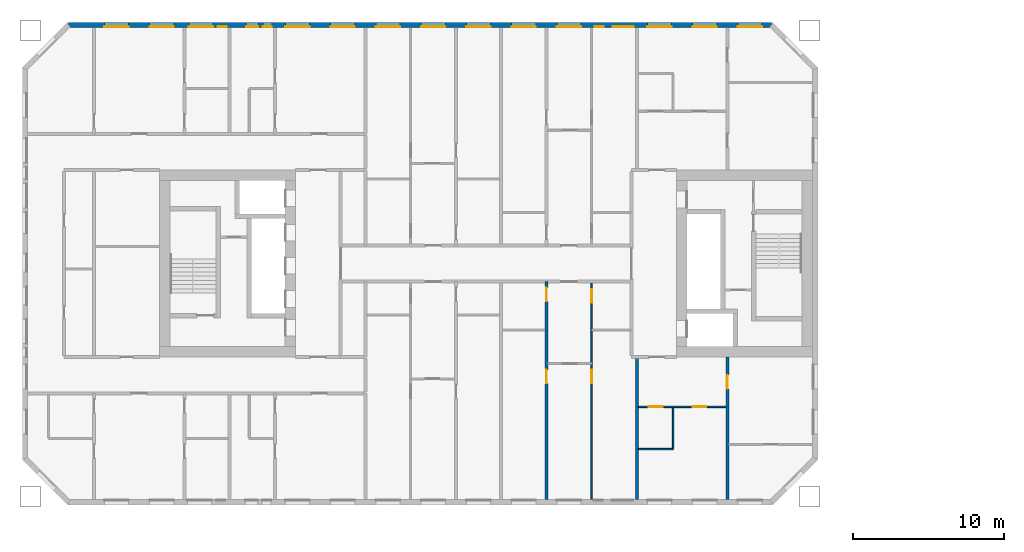
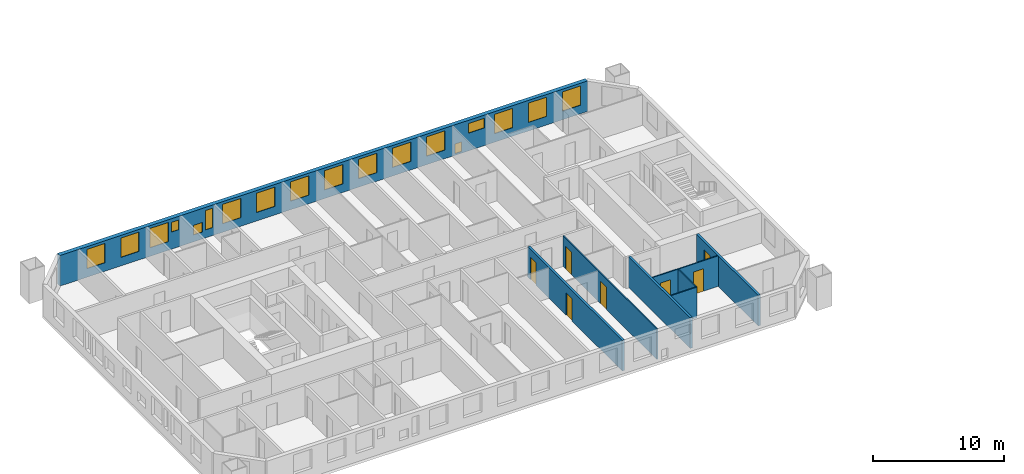
# One storey, part 6 of 17: 18 windows, 8 walls, 7 doors, 25 openings.
"""IFC4 building model written with IfcOpenShell, lengths in metres."""

from ifc_helpers import new_model, si_unit, direction, frame, frame_2d, origin, place, context, subcontext, project, spatial, rectangle, extrude, material, layer, layer_set, type_object, element, fill, save


model = new_model("IFC4")

# Units and contexts
model_context = context("Model", 3, precision=1e-05, world=origin(), true_north=direction((0.0, 1.0)))
body_context = subcontext(model_context, "Body", "Model", "MODEL_VIEW")
ifc_project = project(units=[si_unit("LENGTHUNIT", "METRE"), si_unit("AREAUNIT", "SQUARE_METRE"), si_unit("VOLUMEUNIT", "CUBIC_METRE"), si_unit("PLANEANGLEUNIT", "RADIAN"), si_unit("MASSUNIT", "GRAM", prefix="KILO")], contexts=[model_context])

# Site, building, storey
site_placement = place(None, origin())
site = spatial("IfcSite", under=ifc_project, at=site_placement, CompositionType="ELEMENT")
building_placement = place(site_placement, origin())
building = spatial("IfcBuilding", under=site, at=building_placement, Name="Tuart Gate Housing", CompositionType="ELEMENT")
storey_placement = place(building_placement, frame((0.0, 0.0, 77.800048828125)))
storey = spatial("IfcBuildingStorey", under=building, at=storey_placement, Name="L21", CompositionType="ELEMENT", Elevation=77.800048828125)

# Wall, openings, windows
ifc_material_1 = material(Name="Brick", Category="masonry")
ifc_layer_1 = layer(ifc_material_1, 0.360107421875)
ifc_layer_set_1 = layer_set([ifc_layer_1], Name="Brick pier and spandrel wall 360")
wall_type_1 = type_object("IfcWallType", Name="Brick pier and spandrel wall 360", PredefinedType="STANDARD", material=ifc_layer_set_1)
wall_1_placement = place(storey_placement, frame((72.92529296875, 85.820068359375, 0.0), z_axis=(0.0, 0.0, 1.0), x_axis=(-1.0, 0.0, 0.0)))
wall_1 = element("IfcWall", 1, at=wall_1_placement, inside=storey, type_object=wall_type_1, Name="External wall A-N L21", PredefinedType="STANDARD", context=body_context, shape_type="SweptSolid", body=[
    extrude(rectangle(XDim=46.600830078125, YDim=0.360107421875, at=frame_2d((23.30029296875, 0.0))), origin(), (0.0, 0.0, 1.0), 2.849853515625),
])
opening_1_placement = place(wall_1_placement, frame((0.62548828125, 0.0, 0.800048828125)))
opening_1 = element("IfcOpeningElement", 2, at=opening_1_placement, cuts=wall_1, Name="Opening W1", PredefinedType="OPENING", context=body_context, shape_type="SweptSolid", body=[
    extrude(rectangle(XDim=1.60009765625, YDim=1.800048828125, at=frame_2d((0.800048828125, 0.89990234375))), frame((0.0, 0.18994140625, 0.0), z_axis=(0.0, -1.0, 0.0), x_axis=(1.0, 0.0, 0.0)), (0.0, 0.0, 1.0), 0.380126953125),
])
opening_2_placement = place(wall_1_placement, frame((3.62548828125, 0.0, 0.800048828125)))
opening_2 = element("IfcOpeningElement", 3, at=opening_2_placement, cuts=wall_1, Name="Opening W1", PredefinedType="OPENING", context=body_context, shape_type="SweptSolid", body=[
    extrude(rectangle(XDim=1.60009765625, YDim=1.800048828125, at=frame_2d((0.800048828125, 0.89990234375))), frame((0.0, 0.18994140625, 0.0), z_axis=(0.0, -1.0, 0.0), x_axis=(1.0, 0.0, 0.0)), (0.0, 0.0, 1.0), 0.380126953125),
])
opening_3_placement = place(wall_1_placement, frame((6.62548828125, 0.0, 0.800048828125)))
opening_3 = element("IfcOpeningElement", 4, at=opening_3_placement, cuts=wall_1, Name="Opening W1", PredefinedType="OPENING", context=body_context, shape_type="SweptSolid", body=[
    extrude(rectangle(XDim=1.60009765625, YDim=1.800048828125, at=frame_2d((0.800048828125, 0.89990234375))), frame((0.0, 0.18994140625, 0.0), z_axis=(0.0, -1.0, 0.0), x_axis=(1.0, 0.0, 0.0)), (0.0, 0.0, 1.0), 0.380126953125),
])
opening_4_placement = place(wall_1_placement, frame((9.12548828125, 0.0, 1.64990234375)))
opening_4 = element("IfcOpeningElement", 5, at=opening_4_placement, cuts=wall_1, Name="Opening W1S", PredefinedType="OPENING", context=body_context, shape_type="SweptSolid", body=[
    extrude(rectangle(XDim=1.39990234375, YDim=0.89990234375, at=frame_2d((0.699951171875, 0.449951171875))), frame((0.0, 0.18994140625, 0.0), z_axis=(0.0, -1.0, 0.0), x_axis=(1.0, 0.0, 0.0)), (0.0, 0.0, 1.0), 0.380126953125),
])
opening_5_placement = place(wall_1_placement, frame((12.62548828125, 0.0, 0.800048828125)))
opening_5 = element("IfcOpeningElement", 6, at=opening_5_placement, cuts=wall_1, Name="Opening W1", PredefinedType="OPENING", context=body_context, shape_type="SweptSolid", body=[
    extrude(rectangle(XDim=1.60009765625, YDim=1.800048828125, at=frame_2d((0.800048828125, 0.89990234375))), frame((0.0, 0.18994140625, 0.0), z_axis=(0.0, -1.0, 0.0), x_axis=(1.0, 0.0, 0.0)), (0.0, 0.0, 1.0), 0.380126953125),
])
opening_6_placement = place(wall_1_placement, frame((15.62548828125, 0.0, 0.800048828125)))
opening_6 = element("IfcOpeningElement", 7, at=opening_6_placement, cuts=wall_1, Name="Opening W1", PredefinedType="OPENING", context=body_context, shape_type="SweptSolid", body=[
    extrude(rectangle(XDim=1.60009765625, YDim=1.800048828125, at=frame_2d((0.800048828125, 0.89990234375))), frame((0.0, 0.18994140625, 0.0), z_axis=(0.0, -1.0, 0.0), x_axis=(1.0, 0.0, 0.0)), (0.0, 0.0, 1.0), 0.380126953125),
])
opening_7_placement = place(wall_1_placement, frame((18.62548828125, 0.0, 0.800048828125)))
opening_7 = element("IfcOpeningElement", 8, at=opening_7_placement, cuts=wall_1, Name="Opening W1", PredefinedType="OPENING", context=body_context, shape_type="SweptSolid", body=[
    extrude(rectangle(XDim=1.60009765625, YDim=1.800048828125, at=frame_2d((0.800048828125, 0.89990234375))), frame((0.0, 0.18994140625, 0.0), z_axis=(0.0, -1.0, 0.0), x_axis=(1.0, 0.0, 0.0)), (0.0, 0.0, 1.0), 0.380126953125),
])
opening_8_placement = place(wall_1_placement, frame((21.62548828125, 0.0, 0.800048828125)))
opening_8 = element("IfcOpeningElement", 9, at=opening_8_placement, cuts=wall_1, Name="Opening W1", PredefinedType="OPENING", context=body_context, shape_type="SweptSolid", body=[
    extrude(rectangle(XDim=1.60009765625, YDim=1.800048828125, at=frame_2d((0.800048828125, 0.89990234375))), frame((0.0, 0.18994140625, 0.0), z_axis=(0.0, -1.0, 0.0), x_axis=(1.0, 0.0, 0.0)), (0.0, 0.0, 1.0), 0.380126953125),
])
opening_9_placement = place(wall_1_placement, frame((24.62548828125, 0.0, 0.800048828125)))
opening_9 = element("IfcOpeningElement", 10, at=opening_9_placement, cuts=wall_1, Name="Opening W1", PredefinedType="OPENING", context=body_context, shape_type="SweptSolid", body=[
    extrude(rectangle(XDim=1.60009765625, YDim=1.800048828125, at=frame_2d((0.800048828125, 0.89990234375))), frame((0.0, 0.18994140625, 0.0), z_axis=(0.0, -1.0, 0.0), x_axis=(1.0, 0.0, 0.0)), (0.0, 0.0, 1.0), 0.380126953125),
])
opening_10_placement = place(wall_1_placement, frame((27.62548828125, 0.0, 0.800048828125)))
opening_10 = element("IfcOpeningElement", 11, at=opening_10_placement, cuts=wall_1, Name="Opening W1", PredefinedType="OPENING", context=body_context, shape_type="SweptSolid", body=[
    extrude(rectangle(XDim=1.60009765625, YDim=1.800048828125, at=frame_2d((0.800048828125, 0.89990234375))), frame((0.0, 0.18994140625, 0.0), z_axis=(0.0, -1.0, 0.0), x_axis=(1.0, 0.0, 0.0)), (0.0, 0.0, 1.0), 0.380126953125),
])
opening_11_placement = place(wall_1_placement, frame((30.62548828125, 0.0, 0.800048828125)))
opening_11 = element("IfcOpeningElement", 12, at=opening_11_placement, cuts=wall_1, Name="Opening W1", PredefinedType="OPENING", context=body_context, shape_type="SweptSolid", body=[
    extrude(rectangle(XDim=1.60009765625, YDim=1.800048828125, at=frame_2d((0.800048828125, 0.89990234375))), frame((0.0, 0.18994140625, 0.0), z_axis=(0.0, -1.0, 0.0), x_axis=(1.0, 0.0, 0.0)), (0.0, 0.0, 1.0), 0.380126953125),
])
opening_12_placement = place(wall_1_placement, frame((33.12548828125, 0.0, 0.75)))
opening_12 = element("IfcOpeningElement", 13, at=opening_12_placement, cuts=wall_1, Name="Opening W1E", PredefinedType="OPENING", context=body_context, shape_type="SweptSolid", body=[
    extrude(rectangle(XDim=0.60009765625, YDim=1.800048828125, at=frame_2d((0.300048828125, 0.89990234375))), frame((0.0, 0.18994140625, 0.0), z_axis=(0.0, -1.0, 0.0), x_axis=(1.0, 0.0, 0.0)), (0.0, 0.0, 1.0), 0.380126953125),
])
opening_13_placement = place(wall_1_placement, frame((36.12548828125, 0.0, 1.60009765625)))
opening_13 = element("IfcOpeningElement", 14, at=opening_13_placement, cuts=wall_1, Name="Opening W1W", PredefinedType="OPENING", context=body_context, shape_type="SweptSolid", body=[
    extrude(rectangle(XDim=0.60009765625, YDim=0.89990234375, at=frame_2d((0.300048828125, 0.449951171875))), frame((0.0, 0.18994140625, 0.0), z_axis=(0.0, -1.0, 0.0), x_axis=(1.0, 0.0, 0.0)), (0.0, 0.0, 1.0), 0.380126953125),
])
opening_14_placement = place(wall_1_placement, frame((39.62548828125, 0.0, 0.800048828125)))
opening_14 = element("IfcOpeningElement", 15, at=opening_14_placement, cuts=wall_1, Name="Opening W1", PredefinedType="OPENING", context=body_context, shape_type="SweptSolid", body=[
    extrude(rectangle(XDim=1.60009765625, YDim=1.800048828125, at=frame_2d((0.800048828125, 0.89990234375))), frame((0.0, 0.18994140625, 0.0), z_axis=(0.0, -1.0, 0.0), x_axis=(1.0, 0.0, 0.0)), (0.0, 0.0, 1.0), 0.380126953125),
])
opening_15_placement = place(wall_1_placement, frame((42.62548828125, 0.0, 0.800048828125)))
opening_15 = element("IfcOpeningElement", 16, at=opening_15_placement, cuts=wall_1, Name="Opening W1", PredefinedType="OPENING", context=body_context, shape_type="SweptSolid", body=[
    extrude(rectangle(XDim=1.60009765625, YDim=1.800048828125, at=frame_2d((0.800048828125, 0.89990234375))), frame((0.0, 0.18994140625, 0.0), z_axis=(0.0, -1.0, 0.0), x_axis=(1.0, 0.0, 0.0)), (0.0, 0.0, 1.0), 0.380126953125),
])
opening_16_placement = place(wall_1_placement, frame((11.12548828125, 0.0, 0.14990234375)))
opening_16 = element("IfcOpeningElement", 17, at=opening_16_placement, cuts=wall_1, Name="Opening W1W", PredefinedType="OPENING", context=body_context, shape_type="SweptSolid", body=[
    extrude(rectangle(XDim=0.60009765625, YDim=0.89990234375, at=frame_2d((0.300048828125, 0.449951171875))), frame((0.0, 0.18994140625, 0.0), z_axis=(0.0, -1.0, 0.0), x_axis=(1.0, 0.0, 0.0)), (0.0, 0.0, 1.0), 0.380126953125),
])
opening_17_placement = place(wall_1_placement, frame((34.025390625, 0.0, 0.64990234375)))
opening_17 = element("IfcOpeningElement", 18, at=opening_17_placement, cuts=wall_1, Name="Opening W1V", PredefinedType="OPENING", context=body_context, shape_type="SweptSolid", body=[
    extrude(rectangle(XDim=0.800048828125, YDim=0.89990234375, at=frame_2d((0.39990234375, 0.449951171875))), frame((0.0, 0.18994140625, 0.0), z_axis=(0.0, -1.0, 0.0), x_axis=(1.0, 0.0, 0.0)), (0.0, 0.0, 1.0), 0.380126953125),
])
opening_18_placement = place(wall_1_placement, frame((37.025390625, 0.0, 0.800048828125)))
opening_18 = element("IfcOpeningElement", 19, at=opening_18_placement, cuts=wall_1, Name="Opening W1", PredefinedType="OPENING", context=body_context, shape_type="SweptSolid", body=[
    extrude(rectangle(XDim=1.60009765625, YDim=1.800048828125, at=frame_2d((0.800048828125, 0.89990234375))), frame((0.0, 0.18994140625, 0.0), z_axis=(0.0, -1.0, 0.0), x_axis=(1.0, 0.0, 0.0)), (0.0, 0.0, 1.0), 0.380126953125),
])
ifc_material_2 = material(Name="Aluminium frame with clear glass", Category="aluminium")
window_type_1 = type_object("IfcWindowType", Name="Punched window 1400 x 900", PartitioningType="SINGLE_PANEL", PredefinedType="WINDOW", material=ifc_material_2)
window_1_placement = place(opening_4_placement, origin())
window_1 = element("IfcWindow", 20, at=window_1_placement, inside=storey, type_object=window_type_1, Name="Window W1S", OverallHeight=0.89990234375, OverallWidth=1.39990234375, PartitioningType="SINGLE_PANEL", PredefinedType="WINDOW", context=body_context, shape_type="SweptSolid", body=[
    extrude(rectangle(XDim=1.39990234375, YDim=0.89990234375, at=frame_2d((0.699951171875, 0.449951171875))), frame((0.0, 0.150146484375, 0.0), z_axis=(0.0, -1.0, 0.0), x_axis=(1.0, 0.0, 0.0)), (0.0, 0.0, 1.0), 0.06005859375),
])
fill(opening_4, window_1)
ifc_material_3 = material(Name="Aluminium frame with clear glass", Category="aluminium")
window_type_2 = type_object("IfcWindowType", Name="Punched window 1600 x 1800", PartitioningType="SINGLE_PANEL", PredefinedType="WINDOW", material=ifc_material_3)
window_2_placement = place(opening_1_placement, origin())
window_2 = element("IfcWindow", 21, at=window_2_placement, inside=storey, type_object=window_type_2, Name="Window W1", OverallHeight=1.800048828125, OverallWidth=1.60009765625, PartitioningType="SINGLE_PANEL", PredefinedType="WINDOW", context=body_context, shape_type="SweptSolid", body=[
    extrude(rectangle(XDim=1.60009765625, YDim=1.800048828125, at=frame_2d((0.800048828125, 0.89990234375))), frame((0.0, 0.150146484375, 0.0), z_axis=(0.0, -1.0, 0.0), x_axis=(1.0, 0.0, 0.0)), (0.0, 0.0, 1.0), 0.06005859375),
])
fill(opening_1, window_2)
window_3_placement = place(opening_2_placement, origin())
window_3 = element("IfcWindow", 22, at=window_3_placement, inside=storey, type_object=window_type_2, Name="Window W1", OverallHeight=1.800048828125, OverallWidth=1.60009765625, PartitioningType="SINGLE_PANEL", PredefinedType="WINDOW", context=body_context, shape_type="SweptSolid", body=[
    extrude(rectangle(XDim=1.60009765625, YDim=1.800048828125, at=frame_2d((0.800048828125, 0.89990234375))), frame((0.0, 0.150146484375, 0.0), z_axis=(0.0, -1.0, 0.0), x_axis=(1.0, 0.0, 0.0)), (0.0, 0.0, 1.0), 0.06005859375),
])
fill(opening_2, window_3)
window_4_placement = place(opening_3_placement, origin())
window_4 = element("IfcWindow", 23, at=window_4_placement, inside=storey, type_object=window_type_2, Name="Window W1", OverallHeight=1.800048828125, OverallWidth=1.60009765625, PartitioningType="SINGLE_PANEL", PredefinedType="WINDOW", context=body_context, shape_type="SweptSolid", body=[
    extrude(rectangle(XDim=1.60009765625, YDim=1.800048828125, at=frame_2d((0.800048828125, 0.89990234375))), frame((0.0, 0.150146484375, 0.0), z_axis=(0.0, -1.0, 0.0), x_axis=(1.0, 0.0, 0.0)), (0.0, 0.0, 1.0), 0.06005859375),
])
fill(opening_3, window_4)
window_5_placement = place(opening_5_placement, origin())
window_5 = element("IfcWindow", 24, at=window_5_placement, inside=storey, type_object=window_type_2, Name="Window W1", OverallHeight=1.800048828125, OverallWidth=1.60009765625, PartitioningType="SINGLE_PANEL", PredefinedType="WINDOW", context=body_context, shape_type="SweptSolid", body=[
    extrude(rectangle(XDim=1.60009765625, YDim=1.800048828125, at=frame_2d((0.800048828125, 0.89990234375))), frame((0.0, 0.150146484375, 0.0), z_axis=(0.0, -1.0, 0.0), x_axis=(1.0, 0.0, 0.0)), (0.0, 0.0, 1.0), 0.06005859375),
])
fill(opening_5, window_5)
window_6_placement = place(opening_6_placement, origin())
window_6 = element("IfcWindow", 25, at=window_6_placement, inside=storey, type_object=window_type_2, Name="Window W1", OverallHeight=1.800048828125, OverallWidth=1.60009765625, PartitioningType="SINGLE_PANEL", PredefinedType="WINDOW", context=body_context, shape_type="SweptSolid", body=[
    extrude(rectangle(XDim=1.60009765625, YDim=1.800048828125, at=frame_2d((0.800048828125, 0.89990234375))), frame((0.0, 0.150146484375, 0.0), z_axis=(0.0, -1.0, 0.0), x_axis=(1.0, 0.0, 0.0)), (0.0, 0.0, 1.0), 0.06005859375),
])
fill(opening_6, window_6)
window_7_placement = place(opening_7_placement, origin())
window_7 = element("IfcWindow", 26, at=window_7_placement, inside=storey, type_object=window_type_2, Name="Window W1", OverallHeight=1.800048828125, OverallWidth=1.60009765625, PartitioningType="SINGLE_PANEL", PredefinedType="WINDOW", context=body_context, shape_type="SweptSolid", body=[
    extrude(rectangle(XDim=1.60009765625, YDim=1.800048828125, at=frame_2d((0.800048828125, 0.89990234375))), frame((0.0, 0.150146484375, 0.0), z_axis=(0.0, -1.0, 0.0), x_axis=(1.0, 0.0, 0.0)), (0.0, 0.0, 1.0), 0.06005859375),
])
fill(opening_7, window_7)
window_8_placement = place(opening_8_placement, origin())
window_8 = element("IfcWindow", 27, at=window_8_placement, inside=storey, type_object=window_type_2, Name="Window W1", OverallHeight=1.800048828125, OverallWidth=1.60009765625, PartitioningType="SINGLE_PANEL", PredefinedType="WINDOW", context=body_context, shape_type="SweptSolid", body=[
    extrude(rectangle(XDim=1.60009765625, YDim=1.800048828125, at=frame_2d((0.800048828125, 0.89990234375))), frame((0.0, 0.150146484375, 0.0), z_axis=(0.0, -1.0, 0.0), x_axis=(1.0, 0.0, 0.0)), (0.0, 0.0, 1.0), 0.06005859375),
])
fill(opening_8, window_8)
window_9_placement = place(opening_9_placement, origin())
window_9 = element("IfcWindow", 28, at=window_9_placement, inside=storey, type_object=window_type_2, Name="Window W1", OverallHeight=1.800048828125, OverallWidth=1.60009765625, PartitioningType="SINGLE_PANEL", PredefinedType="WINDOW", context=body_context, shape_type="SweptSolid", body=[
    extrude(rectangle(XDim=1.60009765625, YDim=1.800048828125, at=frame_2d((0.800048828125, 0.89990234375))), frame((0.0, 0.150146484375, 0.0), z_axis=(0.0, -1.0, 0.0), x_axis=(1.0, 0.0, 0.0)), (0.0, 0.0, 1.0), 0.06005859375),
])
fill(opening_9, window_9)
window_10_placement = place(opening_10_placement, origin())
window_10 = element("IfcWindow", 29, at=window_10_placement, inside=storey, type_object=window_type_2, Name="Window W1", OverallHeight=1.800048828125, OverallWidth=1.60009765625, PartitioningType="SINGLE_PANEL", PredefinedType="WINDOW", context=body_context, shape_type="SweptSolid", body=[
    extrude(rectangle(XDim=1.60009765625, YDim=1.800048828125, at=frame_2d((0.800048828125, 0.89990234375))), frame((0.0, 0.150146484375, 0.0), z_axis=(0.0, -1.0, 0.0), x_axis=(1.0, 0.0, 0.0)), (0.0, 0.0, 1.0), 0.06005859375),
])
fill(opening_10, window_10)
window_11_placement = place(opening_11_placement, origin())
window_11 = element("IfcWindow", 30, at=window_11_placement, inside=storey, type_object=window_type_2, Name="Window W1", OverallHeight=1.800048828125, OverallWidth=1.60009765625, PartitioningType="SINGLE_PANEL", PredefinedType="WINDOW", context=body_context, shape_type="SweptSolid", body=[
    extrude(rectangle(XDim=1.60009765625, YDim=1.800048828125, at=frame_2d((0.800048828125, 0.89990234375))), frame((0.0, 0.150146484375, 0.0), z_axis=(0.0, -1.0, 0.0), x_axis=(1.0, 0.0, 0.0)), (0.0, 0.0, 1.0), 0.06005859375),
])
fill(opening_11, window_11)
window_12_placement = place(opening_14_placement, origin())
window_12 = element("IfcWindow", 31, at=window_12_placement, inside=storey, type_object=window_type_2, Name="Window W1", OverallHeight=1.800048828125, OverallWidth=1.60009765625, PartitioningType="SINGLE_PANEL", PredefinedType="WINDOW", context=body_context, shape_type="SweptSolid", body=[
    extrude(rectangle(XDim=1.60009765625, YDim=1.800048828125, at=frame_2d((0.800048828125, 0.89990234375))), frame((0.0, 0.150146484375, 0.0), z_axis=(0.0, -1.0, 0.0), x_axis=(1.0, 0.0, 0.0)), (0.0, 0.0, 1.0), 0.06005859375),
])
fill(opening_14, window_12)
window_13_placement = place(opening_15_placement, origin())
window_13 = element("IfcWindow", 32, at=window_13_placement, inside=storey, type_object=window_type_2, Name="Window W1", OverallHeight=1.800048828125, OverallWidth=1.60009765625, PartitioningType="SINGLE_PANEL", PredefinedType="WINDOW", context=body_context, shape_type="SweptSolid", body=[
    extrude(rectangle(XDim=1.60009765625, YDim=1.800048828125, at=frame_2d((0.800048828125, 0.89990234375))), frame((0.0, 0.150146484375, 0.0), z_axis=(0.0, -1.0, 0.0), x_axis=(1.0, 0.0, 0.0)), (0.0, 0.0, 1.0), 0.06005859375),
])
fill(opening_15, window_13)
window_14_placement = place(opening_18_placement, origin())
window_14 = element("IfcWindow", 33, at=window_14_placement, inside=storey, type_object=window_type_2, Name="Window W1", OverallHeight=1.800048828125, OverallWidth=1.60009765625, PartitioningType="SINGLE_PANEL", PredefinedType="WINDOW", context=body_context, shape_type="SweptSolid", body=[
    extrude(rectangle(XDim=1.60009765625, YDim=1.800048828125, at=frame_2d((0.800048828125, 0.89990234375))), frame((0.0, 0.150146484375, 0.0), z_axis=(0.0, -1.0, 0.0), x_axis=(1.0, 0.0, 0.0)), (0.0, 0.0, 1.0), 0.06005859375),
])
fill(opening_18, window_14)
ifc_material_4 = material(Name="Aluminium frame with clear glass", Category="aluminium")
window_type_3 = type_object("IfcWindowType", Name="Punched window 600 x 1800", PartitioningType="SINGLE_PANEL", PredefinedType="WINDOW", material=ifc_material_4)
window_15_placement = place(opening_12_placement, origin())
window_15 = element("IfcWindow", 34, at=window_15_placement, inside=storey, type_object=window_type_3, Name="Window W1E", OverallHeight=1.800048828125, OverallWidth=0.60009765625, PartitioningType="SINGLE_PANEL", PredefinedType="WINDOW", context=body_context, shape_type="SweptSolid", body=[
    extrude(rectangle(XDim=0.60009765625, YDim=1.800048828125, at=frame_2d((0.300048828125, 0.89990234375))), frame((0.0, 0.150146484375, 0.0), z_axis=(0.0, -1.0, 0.0), x_axis=(1.0, 0.0, 0.0)), (0.0, 0.0, 1.0), 0.06005859375),
])
fill(opening_12, window_15)
ifc_material_5 = material(Name="Aluminium frame with clear glass", Category="aluminium")
window_type_4 = type_object("IfcWindowType", Name="Punched window 600 x 900", PartitioningType="SINGLE_PANEL", PredefinedType="WINDOW", material=ifc_material_5)
window_16_placement = place(opening_13_placement, origin())
window_16 = element("IfcWindow", 35, at=window_16_placement, inside=storey, type_object=window_type_4, Name="Window W1W", OverallHeight=0.89990234375, OverallWidth=0.60009765625, PartitioningType="SINGLE_PANEL", PredefinedType="WINDOW", context=body_context, shape_type="SweptSolid", body=[
    extrude(rectangle(XDim=0.60009765625, YDim=0.89990234375, at=frame_2d((0.300048828125, 0.449951171875))), frame((0.0, 0.150146484375, 0.0), z_axis=(0.0, -1.0, 0.0), x_axis=(1.0, 0.0, 0.0)), (0.0, 0.0, 1.0), 0.06005859375),
])
fill(opening_13, window_16)
window_17_placement = place(opening_16_placement, origin())
window_17 = element("IfcWindow", 36, at=window_17_placement, inside=storey, type_object=window_type_4, Name="Window W1W", OverallHeight=0.89990234375, OverallWidth=0.60009765625, PartitioningType="SINGLE_PANEL", PredefinedType="WINDOW", context=body_context, shape_type="SweptSolid", body=[
    extrude(rectangle(XDim=0.60009765625, YDim=0.89990234375, at=frame_2d((0.300048828125, 0.449951171875))), frame((0.0, 0.150146484375, 0.0), z_axis=(0.0, -1.0, 0.0), x_axis=(1.0, 0.0, 0.0)), (0.0, 0.0, 1.0), 0.06005859375),
])
fill(opening_16, window_17)
ifc_material_6 = material(Name="Aluminium frame with clear glass", Category="aluminium")
window_type_5 = type_object("IfcWindowType", Name="Punched window 800 x 900", PartitioningType="SINGLE_PANEL", PredefinedType="WINDOW", material=ifc_material_6)
window_18_placement = place(opening_17_placement, origin())
window_18 = element("IfcWindow", 37, at=window_18_placement, inside=storey, type_object=window_type_5, Name="Window W1V", OverallHeight=0.89990234375, OverallWidth=0.800048828125, PartitioningType="SINGLE_PANEL", PredefinedType="WINDOW", context=body_context, shape_type="SweptSolid", body=[
    extrude(rectangle(XDim=0.800048828125, YDim=0.89990234375, at=frame_2d((0.39990234375, 0.449951171875))), frame((0.0, 0.150146484375, 0.0), z_axis=(0.0, -1.0, 0.0), x_axis=(1.0, 0.0, 0.0)), (0.0, 0.0, 1.0), 0.06005859375),
])
fill(opening_17, window_18)

# Wall
ifc_material_7 = material(Name="Gypsum board on steel studs", Category="steel")
ifc_layer_2 = layer(ifc_material_7, 0.10009765625)
ifc_layer_set_2 = layer_set([ifc_layer_2], Name="Partition 100")
wall_type_2 = type_object("IfcWallType", Name="Partition 100", PredefinedType="PARTITIONING", material=ifc_layer_set_2)
wall_2_placement = place(storey_placement, frame((64.10009765625, 57.699951171875, 0.0), z_axis=(0.0, 0.0, 1.0), x_axis=(1.0, 0.0, 0.0)))
element("IfcWall", 38, at=wall_2_placement, inside=storey, type_object=wall_type_2, Name="Partition 100", PredefinedType="PARTITIONING", context=body_context, shape_type="SweptSolid", body=[
    extrude(rectangle(XDim=2.2998046875, YDim=0.10009765625, at=frame_2d((1.14990234375, 0.0))), origin(), (0.0, 0.0, 1.0), 2.849853515625),
])

# Wall, openings, doors
wall_3_placement = place(storey_placement, frame((64.10009765625, 60.5, 0.0), z_axis=(0.0, 0.0, 1.0), x_axis=(1.0, 0.0, 0.0)))
wall_3 = element("IfcWall", 39, at=wall_3_placement, inside=storey, type_object=wall_type_2, Name="Partition 100", PredefinedType="PARTITIONING", context=body_context, shape_type="SweptSolid", body=[
    extrude(rectangle(XDim=5.7998046875, YDim=0.10009765625, at=frame_2d((2.89990234375, 0.0))), origin(), (0.0, 0.0, 1.0), 2.849853515625),
])
opening_19_placement = place(wall_3_placement, frame((3.60009765625, 0.0, 0.0)))
opening_19 = element("IfcOpeningElement", 40, at=opening_19_placement, cuts=wall_3, Name="Opening D888", PredefinedType="OPENING", context=body_context, shape_type="SweptSolid", body=[
    extrude(rectangle(XDim=0.89990234375, YDim=2.10009765625, at=frame_2d((0.449951171875, 1.050048828125))), frame((0.0, 0.06005859375, 0.0), z_axis=(0.0, -1.0, 0.0), x_axis=(1.0, 0.0, 0.0)), (0.0, 0.0, 1.0), 0.1201171875),
])
opening_20_placement = place(wall_3_placement, frame((0.699951171875, 0.0, 0.0)))
opening_20 = element("IfcOpeningElement", 41, at=opening_20_placement, cuts=wall_3, Name="Opening D887", PredefinedType="OPENING", context=body_context, shape_type="SweptSolid", body=[
    extrude(rectangle(XDim=0.89990234375, YDim=2.10009765625, at=frame_2d((0.449951171875, 1.050048828125))), frame((0.0, 0.06005859375, 0.0), z_axis=(0.0, -1.0, 0.0), x_axis=(1.0, 0.0, 0.0)), (0.0, 0.0, 1.0), 0.1201171875),
])
ifc_material_8 = material(Name="Timber door leaf in steel frame", Category="steel")
door_type_1 = type_object("IfcDoorType", Name="Bathroom door 900", OperationType="SINGLE_SWING_LEFT", PredefinedType="DOOR", material=ifc_material_8)
door_1_placement = place(opening_20_placement, frame((0.89990234375, 0.0, 0.0), z_axis=(0.0, 0.0, 1.0), x_axis=(-1.0, 0.0, 0.0)))
door_1 = element("IfcDoor", 42, at=door_1_placement, inside=storey, type_object=door_type_1, Name="Bathroom door", OperationType="SINGLE_SWING_LEFT", OverallHeight=2.10009765625, OverallWidth=0.89990234375, PredefinedType="DOOR", context=body_context, shape_type="SweptSolid", body=[
    extrude(rectangle(XDim=0.89990234375, YDim=2.10009765625, at=frame_2d((0.449951171875, 1.050048828125))), frame((0.0, 0.025146484375, 0.0), z_axis=(0.0, -1.0, 0.0), x_axis=(1.0, 0.0, 0.0)), (0.0, 0.0, 1.0), 0.050048828125),
])
fill(opening_20, door_1)
ifc_material_9 = material(Name="Timber door leaf in steel frame", Category="steel")
door_type_2 = type_object("IfcDoorType", Name="Internal door 900 RH", OperationType="SINGLE_SWING_RIGHT", PredefinedType="DOOR", material=ifc_material_9)
door_2_placement = place(opening_19_placement, frame((0.89990234375, 0.0, 0.0), z_axis=(0.0, 0.0, 1.0), x_axis=(-1.0, 0.0, 0.0)))
door_2 = element("IfcDoor", 43, at=door_2_placement, inside=storey, type_object=door_type_2, Name="Internal door", OperationType="SINGLE_SWING_RIGHT", OverallHeight=2.10009765625, OverallWidth=0.89990234375, PredefinedType="DOOR", context=body_context, shape_type="SweptSolid", body=[
    extrude(rectangle(XDim=0.89990234375, YDim=2.10009765625, at=frame_2d((0.449951171875, 1.050048828125))), frame((0.0, 0.025146484375, 0.0), z_axis=(0.0, -1.0, 0.0), x_axis=(1.0, 0.0, 0.0)), (0.0, 0.0, 1.0), 0.050048828125),
])
fill(opening_19, door_2)

wall_4_placement = place(storey_placement, frame((61.0, 54.360107421875, 0.0), z_axis=(0.0, 0.0, 1.0), x_axis=(0.0, 1.0, 0.0)))
wall_4 = element("IfcWall", 44, at=wall_4_placement, inside=storey, type_object=wall_type_2, Name="Partition 100", PredefinedType="PARTITIONING", context=body_context, shape_type="SweptSolid", body=[
    extrude(rectangle(XDim=14.33984375, YDim=0.10009765625, at=frame_2d((7.169921875, 0.0))), origin(), (0.0, 0.0, 1.0), 2.849853515625),
])
opening_21_placement = place(wall_4_placement, frame((7.699951171875, 0.0, 0.0)))
opening_21 = element("IfcOpeningElement", 45, at=opening_21_placement, cuts=wall_4, Name="Opening D884", PredefinedType="OPENING", context=body_context, shape_type="SweptSolid", body=[
    extrude(rectangle(XDim=0.89990234375, YDim=2.10009765625, at=frame_2d((0.449951171875, 1.050048828125))), frame((0.0, 0.06005859375, 0.0), z_axis=(0.0, -1.0, 0.0), x_axis=(1.0, 0.0, 0.0)), (0.0, 0.0, 1.0), 0.1201171875),
])
opening_22_placement = place(wall_4_placement, frame((13.0400390625, 0.0, 0.0)))
opening_22 = element("IfcOpeningElement", 46, at=opening_22_placement, cuts=wall_4, Name="Opening D883", PredefinedType="OPENING", context=body_context, shape_type="SweptSolid", body=[
    extrude(rectangle(XDim=0.89990234375, YDim=2.10009765625, at=frame_2d((0.449951171875, 1.050048828125))), frame((0.0, 0.06005859375, 0.0), z_axis=(0.0, -1.0, 0.0), x_axis=(1.0, 0.0, 0.0)), (0.0, 0.0, 1.0), 0.1201171875),
])
door_3_placement = place(opening_22_placement, frame((0.89990234375, 0.0, 0.0), z_axis=(0.0, 0.0, 1.0), x_axis=(-1.0, 0.0, 0.0)))
door_3 = element("IfcDoor", 47, at=door_3_placement, inside=storey, type_object=door_type_1, Name="Bathroom door", OperationType="SINGLE_SWING_LEFT", OverallHeight=2.10009765625, OverallWidth=0.89990234375, PredefinedType="DOOR", context=body_context, shape_type="SweptSolid", body=[
    extrude(rectangle(XDim=0.89990234375, YDim=2.10009765625, at=frame_2d((0.449951171875, 1.050048828125))), frame((0.0, 0.025146484375, 0.0), z_axis=(0.0, -1.0, 0.0), x_axis=(1.0, 0.0, 0.0)), (0.0, 0.0, 1.0), 0.050048828125),
])
fill(opening_22, door_3)
ifc_material_10 = material(Name="Timber door leaf in steel frame", Category="steel")
door_type_3 = type_object("IfcDoorType", Name="Internal door 900", OperationType="SINGLE_SWING_LEFT", PredefinedType="DOOR", material=ifc_material_10)
door_4_placement = place(opening_21_placement, frame((0.89990234375, 0.0, 0.0), z_axis=(0.0, 0.0, 1.0), x_axis=(-1.0, 0.0, 0.0)))
door_4 = element("IfcDoor", 48, at=door_4_placement, inside=storey, type_object=door_type_3, Name="Internal door", OperationType="SINGLE_SWING_LEFT", OverallHeight=2.10009765625, OverallWidth=0.89990234375, PredefinedType="DOOR", context=body_context, shape_type="SweptSolid", body=[
    extrude(rectangle(XDim=0.89990234375, YDim=2.10009765625, at=frame_2d((0.449951171875, 1.050048828125))), frame((0.0, 0.025146484375, 0.0), z_axis=(0.0, -1.0, 0.0), x_axis=(1.0, 0.0, 0.0)), (0.0, 0.0, 1.0), 0.050048828125),
])
fill(opening_21, door_4)

# Wall
wall_5_placement = place(storey_placement, frame((66.39990234375, 57.75, 0.0), z_axis=(0.0, 0.0, 1.0), x_axis=(0.0, 1.0, 0.0)))
element("IfcWall", 49, at=wall_5_placement, inside=storey, type_object=wall_type_2, Name="Partition 100", PredefinedType="PARTITIONING", context=body_context, shape_type="SweptSolid", body=[
    extrude(rectangle(XDim=2.699951171875, YDim=0.10009765625, at=frame_2d((1.35009765625, 0.0))), origin(), (0.0, 0.0, 1.0), 2.849853515625),
])

# Wall, openings, doors
ifc_material_11 = material(Name="Concrete C40", Category="concrete")
ifc_layer_3 = layer(ifc_material_11, 0.199951171875)
ifc_layer_set_3 = layer_set([ifc_layer_3], Name="Party wall concrete C40 200")
wall_type_3 = type_object("IfcWallType", Name="Party wall concrete C40 200", PredefinedType="SOLIDWALL", material=ifc_layer_set_3)
wall_6_placement = place(storey_placement, frame((58.0, 54.360107421875, 0.0), z_axis=(0.0, 0.0, 1.0), x_axis=(0.0, 1.0, 0.0)))
wall_6 = element("IfcWall", 50, at=wall_6_placement, inside=storey, type_object=wall_type_3, Name="Party wall concrete C40 200", PredefinedType="SOLIDWALL", context=body_context, shape_type="SweptSolid", body=[
    extrude(rectangle(XDim=14.43994140625, YDim=0.199951171875, at=frame_2d((7.219970703125, 0.0))), origin(), (0.0, 0.0, 1.0), 2.849853515625),
])
opening_23_placement = place(wall_6_placement, frame((7.699951171875, 0.0, 0.0)))
opening_23 = element("IfcOpeningElement", 51, at=opening_23_placement, cuts=wall_6, Name="Opening D880", PredefinedType="OPENING", context=body_context, shape_type="SweptSolid", body=[
    extrude(rectangle(XDim=0.89990234375, YDim=2.10009765625, at=frame_2d((0.449951171875, 1.050048828125))), frame((0.0, 0.10986328125, 0.0), z_axis=(0.0, -1.0, 0.0), x_axis=(1.0, 0.0, 0.0)), (0.0, 0.0, 1.0), 0.219970703125),
])
opening_24_placement = place(wall_6_placement, frame((13.139892578125, 0.0, 0.0)))
opening_24 = element("IfcOpeningElement", 52, at=opening_24_placement, cuts=wall_6, Name="Opening D879", PredefinedType="OPENING", context=body_context, shape_type="SweptSolid", body=[
    extrude(rectangle(XDim=0.89990234375, YDim=2.10009765625, at=frame_2d((0.449951171875, 1.050048828125))), frame((0.0, 0.10986328125, 0.0), z_axis=(0.0, -1.0, 0.0), x_axis=(1.0, 0.0, 0.0)), (0.0, 0.0, 1.0), 0.219970703125),
])
ifc_material_12 = material(Name="Timber door leaf in steel frame", Category="steel")
door_type_4 = type_object("IfcDoorType", Name="Bathroom door 900 RH", OperationType="SINGLE_SWING_RIGHT", PredefinedType="DOOR", material=ifc_material_12)
door_5_placement = place(opening_24_placement, origin())
door_5 = element("IfcDoor", 53, at=door_5_placement, inside=storey, type_object=door_type_4, Name="Bathroom door", OperationType="SINGLE_SWING_RIGHT", OverallHeight=2.10009765625, OverallWidth=0.89990234375, PredefinedType="DOOR", context=body_context, shape_type="SweptSolid", body=[
    extrude(rectangle(XDim=0.89990234375, YDim=2.10009765625, at=frame_2d((0.449951171875, 1.050048828125))), frame((0.0, 0.02490234375, 0.0), z_axis=(0.0, -1.0, 0.0), x_axis=(1.0, 0.0, 0.0)), (0.0, 0.0, 1.0), 0.050048828125),
])
fill(opening_24, door_5)
door_6_placement = place(opening_23_placement, origin())
door_6 = element("IfcDoor", 54, at=door_6_placement, inside=storey, type_object=door_type_2, Name="Internal door", OperationType="SINGLE_SWING_RIGHT", OverallHeight=2.10009765625, OverallWidth=0.89990234375, PredefinedType="DOOR", context=body_context, shape_type="SweptSolid", body=[
    extrude(rectangle(XDim=0.89990234375, YDim=2.10009765625, at=frame_2d((0.449951171875, 1.050048828125))), frame((0.0, 0.02490234375, 0.0), z_axis=(0.0, -1.0, 0.0), x_axis=(1.0, 0.0, 0.0)), (0.0, 0.0, 1.0), 0.050048828125),
])
fill(opening_23, door_6)

# Wall
wall_7_placement = place(storey_placement, frame((64.0, 54.360107421875, 0.0), z_axis=(0.0, 0.0, 1.0), x_axis=(0.0, 1.0, 0.0)))
element("IfcWall", 55, at=wall_7_placement, inside=storey, type_object=wall_type_3, Name="Party wall concrete C40 200", PredefinedType="SOLIDWALL", context=body_context, shape_type="SweptSolid", body=[
    extrude(rectangle(XDim=9.43994140625, YDim=0.199951171875, at=frame_2d((4.719970703125, 0.0))), origin(), (0.0, 0.0, 1.0), 2.849853515625),
])

# Wall, opening, door
wall_8_placement = place(storey_placement, frame((70.0, 54.360107421875, 0.0), z_axis=(0.0, 0.0, 1.0), x_axis=(0.0, 1.0, 0.0)))
wall_8 = element("IfcWall", 56, at=wall_8_placement, inside=storey, type_object=wall_type_3, Name="Party wall concrete C40 200", PredefinedType="SOLIDWALL", context=body_context, shape_type="SweptSolid", body=[
    extrude(rectangle(XDim=9.43994140625, YDim=0.199951171875, at=frame_2d((4.719970703125, 0.0))), origin(), (0.0, 0.0, 1.0), 2.849853515625),
])
opening_25_placement = place(wall_8_placement, frame((7.340087890625, 0.0, 0.0)))
opening_25 = element("IfcOpeningElement", 57, at=opening_25_placement, cuts=wall_8, Name="Opening D889", PredefinedType="OPENING", context=body_context, shape_type="SweptSolid", body=[
    extrude(rectangle(XDim=0.89990234375, YDim=2.10009765625, at=frame_2d((0.449951171875, 1.050048828125))), frame((0.0, 0.10986328125, 0.0), z_axis=(0.0, -1.0, 0.0), x_axis=(1.0, 0.0, 0.0)), (0.0, 0.0, 1.0), 0.219970703125),
])
door_7_placement = place(opening_25_placement, origin())
door_7 = element("IfcDoor", 58, at=door_7_placement, inside=storey, type_object=door_type_3, Name="Internal door", OperationType="SINGLE_SWING_LEFT", OverallHeight=2.10009765625, OverallWidth=0.89990234375, PredefinedType="DOOR", context=body_context, shape_type="SweptSolid", body=[
    extrude(rectangle(XDim=0.89990234375, YDim=2.10009765625, at=frame_2d((0.449951171875, 1.050048828125))), frame((0.0, 0.02490234375, 0.0), z_axis=(0.0, -1.0, 0.0), x_axis=(1.0, 0.0, 0.0)), (0.0, 0.0, 1.0), 0.050048828125),
])
fill(opening_25, door_7)

save(model, "model.ifc")
